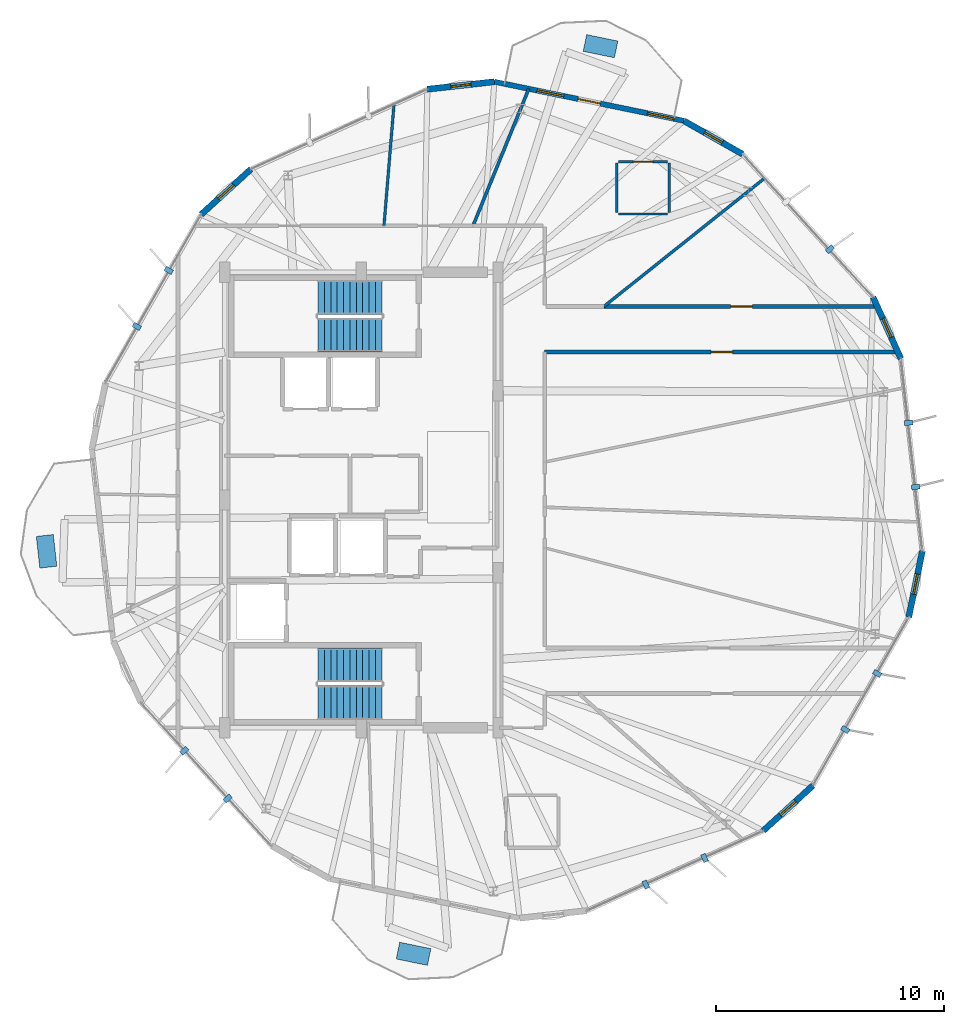
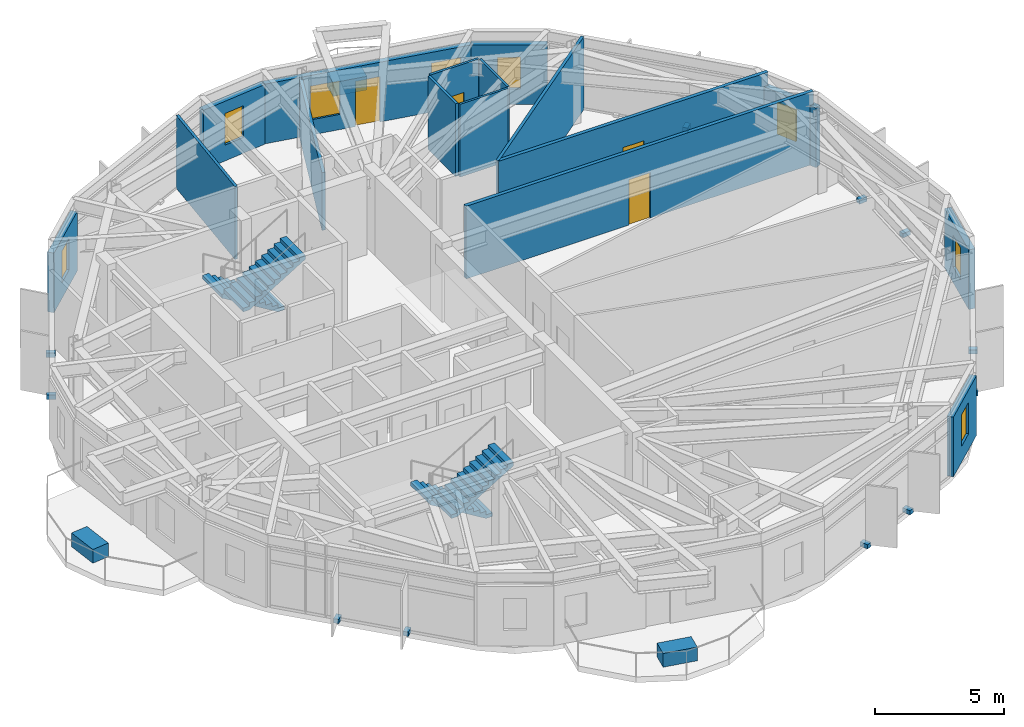
# One storey, part 19 of 23: 16 walls, 14 discrete accessories, 8 windows, 4 doors, 4 stair flights, 12 openings, 2 elements without a shape of their own.
"""IFC4 building model written with IfcOpenShell, lengths in metres."""

from ifc_helpers import new_model, si_unit, direction, frame, frame_2d, origin, origin_2d, place, context, subcontext, project, spatial, polyline, rectangle, outline, extrude, material, layer, layer_set, type_object, element, fill, aggregate, save


model = new_model("IFC4")

# Units and contexts
model_context = context("Model", 3, precision=1e-05, world=origin(), true_north=direction((0.0, 1.0)))
body_context = subcontext(model_context, "Body", "Model", "MODEL_VIEW")
ifc_project = project(units=[si_unit("LENGTHUNIT", "METRE"), si_unit("AREAUNIT", "SQUARE_METRE"), si_unit("VOLUMEUNIT", "CUBIC_METRE"), si_unit("PLANEANGLEUNIT", "RADIAN"), si_unit("MASSUNIT", "GRAM", prefix="KILO")], contexts=[model_context])

# Site, building, storey
site_placement = place(None, origin())
site = spatial("IfcSite", under=ifc_project, at=site_placement, CompositionType="ELEMENT")
building_placement = place(site_placement, origin())
building = spatial("IfcBuilding", under=site, at=building_placement, Name="Soratama Intermodal Tower", CompositionType="ELEMENT")
storey_placement = place(building_placement, frame((0.0, 0.0, 257.5)))
storey = spatial("IfcBuildingStorey", under=building, at=storey_placement, Name="L65", CompositionType="ELEMENT", Elevation=257.5)

# Wall, openings, door, windows
ifc_material_1 = material(Name="Concrete f'c 42 MPa", Category="concrete")
ifc_layer_1 = layer(ifc_material_1, 0.22998046875)
ifc_layer_set_1 = layer_set([ifc_layer_1], Name="Concrete f'c 42 MPa")
wall_type_1 = type_object("IfcWallType", Name="EW-BAL-230", PredefinedType="SOLIDWALL", material=ifc_layer_set_1)
wall_1_placement = place(storey_placement, frame((52.77001953125, 41.65478515625, 0.0), z_axis=(0.0, 0.0, 1.0), x_axis=(-0.979436514716, 0.201752605043, 0.0)))
wall_1 = element("IfcWall", 1, at=wall_1_placement, inside=storey, type_object=wall_type_1, Name="L65 Terrace Wall F01", PredefinedType="SOLIDWALL", context=body_context, shape_type="SweptSolid", body=[
    extrude(rectangle(XDim=8.499755859375, YDim=0.22998046875, at=frame_2d((4.25, 0.0))), origin(), (0.0, 0.0, 1.0), 2.8291015625),
])
opening_1_placement = place(wall_1_placement, frame((3.75, 0.0, 0.0)))
opening_1 = element("IfcOpeningElement", 2, at=opening_1_placement, cuts=wall_1, Name="Opening ED-2", PredefinedType="OPENING", context=body_context, shape_type="SweptSolid", body=[
    extrude(rectangle(XDim=1.0, YDim=2.14990234375, at=frame_2d((0.5, 1.074951171875))), frame((0.0, 0.125, 0.0), z_axis=(0.0, -1.0, 0.0), x_axis=(1.0, 0.0, 0.0)), (0.0, 0.0, 1.0), 0.25),
])
opening_2_placement = place(wall_1_placement, frame((0.43994140625, 0.0, 0.719970703125)))
opening_2 = element("IfcOpeningElement", 3, at=opening_2_placement, cuts=wall_1, Name="Opening WN-2", PredefinedType="OPENING", context=body_context, shape_type="SweptSolid", body=[
    extrude(rectangle(XDim=1.199951171875, YDim=1.60009765625, at=frame_2d((0.60009765625, 0.800048828125))), frame((0.0, 0.125, 0.0), z_axis=(0.0, -1.0, 0.0), x_axis=(1.0, 0.0, 0.0)), (0.0, 0.0, 1.0), 0.25),
])
opening_3_placement = place(wall_1_placement, frame((5.389892578125, 0.0, 0.719970703125)))
opening_3 = element("IfcOpeningElement", 4, at=opening_3_placement, cuts=wall_1, Name="Opening WN-2", PredefinedType="OPENING", context=body_context, shape_type="SweptSolid", body=[
    extrude(rectangle(XDim=1.199951171875, YDim=1.60009765625, at=frame_2d((0.60009765625, 0.800048828125))), frame((0.0, 0.125, 0.0), z_axis=(0.0, -1.0, 0.0), x_axis=(1.0, 0.0, 0.0)), (0.0, 0.0, 1.0), 0.25),
])
ifc_material_2 = material(Name="Double-glazed aluminium door", Category="aluminium")
door_type_1 = type_object("IfcDoorType", Name="DR-BAL-1000", OperationType="NOTDEFINED", PredefinedType="DOOR", material=ifc_material_2)
door_1_placement = place(opening_1_placement, origin())
door_1 = element("IfcDoor", 5, at=door_1_placement, inside=storey, type_object=door_type_1, Name="L65 Balcony Door F01", OperationType="SINGLE_SWING_LEFT", OverallHeight=2.14990234375, OverallWidth=1.0, PredefinedType="DOOR", context=body_context, shape_type="SweptSolid", body=[
    extrude(rectangle(XDim=1.0, YDim=2.14990234375, at=frame_2d((0.5, 1.074951171875))), frame((0.0, 0.02490234375, 0.0), z_axis=(0.0, -1.0, 0.0), x_axis=(1.0, 0.0, 0.0)), (0.0, 0.0, 1.0), 0.050048828125),
])
fill(opening_1, door_1)
ifc_material_3 = material(Name="Double-glazed aluminium window", Category="aluminium")
window_type_1 = type_object("IfcWindowType", Name="WN-FAC-1200", PartitioningType="SINGLE_PANEL", PredefinedType="WINDOW", material=ifc_material_3)
window_1_placement = place(opening_2_placement, origin())
window_1 = element("IfcWindow", 6, at=window_1_placement, inside=storey, type_object=window_type_1, Name="L65 Window A F01", OverallHeight=1.60009765625, OverallWidth=1.199951171875, PartitioningType="SINGLE_PANEL", PredefinedType="WINDOW", context=body_context, shape_type="SweptSolid", body=[
    extrude(rectangle(XDim=1.199951171875, YDim=1.60009765625, at=frame_2d((0.60009765625, 0.800048828125))), frame((0.0, 0.030029296875, 0.0), z_axis=(0.0, -1.0, 0.0), x_axis=(1.0, 0.0, 0.0)), (0.0, 0.0, 1.0), 0.06005859375),
])
fill(opening_2, window_1)
window_2_placement = place(opening_3_placement, origin())
window_2 = element("IfcWindow", 7, at=window_2_placement, inside=storey, type_object=window_type_1, Name="L65 Window B F01", OverallHeight=1.60009765625, OverallWidth=1.199951171875, PartitioningType="SINGLE_PANEL", PredefinedType="WINDOW", context=body_context, shape_type="SweptSolid", body=[
    extrude(rectangle(XDim=1.199951171875, YDim=1.60009765625, at=frame_2d((0.60009765625, 0.800048828125))), frame((0.0, 0.030029296875, 0.0), z_axis=(0.0, -1.0, 0.0), x_axis=(1.0, 0.0, 0.0)), (0.0, 0.0, 1.0), 0.06005859375),
])
fill(opening_3, window_2)

# Wall, opening, window
ifc_material_4 = material(Name="Concrete f'c 42 MPa", Category="concrete")
ifc_layer_2 = layer(ifc_material_4, 0.27001953125)
ifc_layer_set_2 = layer_set([ifc_layer_2], Name="Concrete f'c 42 MPa")
wall_type_2 = type_object("IfcWallType", Name="EW-CRN-270", PredefinedType="SOLIDWALL", material=ifc_layer_set_2)
wall_2_placement = place(storey_placement, frame((44.445068359375, 43.36962890625, 0.0), z_axis=(0.0, 0.0, 1.0), x_axis=(-0.993846546507, -0.110765707676, 0.0)))
wall_2 = element("IfcWall", 8, at=wall_2_placement, inside=storey, type_object=wall_type_2, Name="L65 Corner Closure Wall 01", PredefinedType="SOLIDWALL", context=body_context, shape_type="SweptSolid", body=[
    extrude(rectangle(XDim=2.966796875, YDim=0.27001953125, at=frame_2d((1.4833984375, 0.0))), origin(), (0.0, 0.0, 1.0), 2.8291015625),
])
opening_4_placement = place(wall_2_placement, frame((1.033203125, 0.0, 0.75)))
opening_4 = element("IfcOpeningElement", 9, at=opening_4_placement, cuts=wall_2, Name="Opening WN-6", PredefinedType="OPENING", context=body_context, shape_type="SweptSolid", body=[
    extrude(rectangle(XDim=0.89990234375, YDim=1.5, at=frame_2d((0.449951171875, 0.75))), frame((0.0, 0.14501953125, 0.0), z_axis=(0.0, -1.0, 0.0), x_axis=(1.0, 0.0, 0.0)), (0.0, 0.0, 1.0), 0.2900390625),
])
ifc_material_5 = material(Name="Double-glazed aluminium window", Category="aluminium")
window_type_2 = type_object("IfcWindowType", Name="WN-FAC-900", PartitioningType="SINGLE_PANEL", PredefinedType="WINDOW", material=ifc_material_5)
window_3_placement = place(opening_4_placement, origin())
window_3 = element("IfcWindow", 10, at=window_3_placement, inside=storey, type_object=window_type_2, Name="L65 Corner Window 01", OverallHeight=1.5, OverallWidth=0.89990234375, PartitioningType="SINGLE_PANEL", PredefinedType="WINDOW", context=body_context, shape_type="SweptSolid", body=[
    extrude(rectangle(XDim=0.89990234375, YDim=1.5, at=frame_2d((0.449951171875, 0.75))), frame((0.0, 0.030029296875, 0.0), z_axis=(0.0, -1.0, 0.0), x_axis=(1.0, 0.0, 0.0)), (0.0, 0.0, 1.0), 0.06005859375),
])
fill(opening_4, window_3)

wall_3_placement = place(storey_placement, frame((33.753662109375, 39.53515625, 0.0), z_axis=(0.0, 0.0, 1.0), x_axis=(-0.73894499787, -0.673765753153, 0.0)))
wall_3 = element("IfcWall", 11, at=wall_3_placement, inside=storey, type_object=wall_type_2, Name="L65 Corner Closure Wall 02", PredefinedType="SOLIDWALL", context=body_context, shape_type="SweptSolid", body=[
    extrude(rectangle(XDim=2.966552734375, YDim=0.27001953125, at=frame_2d((1.4833984375, 0.0))), origin(), (0.0, 0.0, 1.0), 2.8291015625),
])
opening_5_placement = place(wall_3_placement, frame((1.033203125, 0.0, 0.75)))
opening_5 = element("IfcOpeningElement", 12, at=opening_5_placement, cuts=wall_3, Name="Opening WN-6", PredefinedType="OPENING", context=body_context, shape_type="SweptSolid", body=[
    extrude(rectangle(XDim=0.89990234375, YDim=1.5, at=frame_2d((0.449951171875, 0.75))), frame((0.0, 0.14501953125, 0.0), z_axis=(0.0, -1.0, 0.0), x_axis=(1.0, 0.0, 0.0)), (0.0, 0.0, 1.0), 0.2900390625),
])
window_4_placement = place(opening_5_placement, origin())
window_4 = element("IfcWindow", 13, at=window_4_placement, inside=storey, type_object=window_type_2, Name="L65 Corner Window 02", OverallHeight=1.5, OverallWidth=0.89990234375, PartitioningType="SINGLE_PANEL", PredefinedType="WINDOW", context=body_context, shape_type="SweptSolid", body=[
    extrude(rectangle(XDim=0.89990234375, YDim=1.5, at=frame_2d((0.449951171875, 0.75))), frame((0.0, 0.030029296875, 0.0), z_axis=(0.0, -1.0, 0.0), x_axis=(1.0, 0.0, 0.0)), (0.0, 0.0, 1.0), 0.06005859375),
])
fill(opening_5, window_4)

wall_4_placement = place(storey_placement, frame((56.246337890625, 10.46484375, 0.0), z_axis=(0.0, 0.0, 1.0), x_axis=(0.73894499787, 0.673765753153, 0.0)))
wall_4 = element("IfcWall", 14, at=wall_4_placement, inside=storey, type_object=wall_type_2, Name="L65 Corner Closure Wall 07", PredefinedType="SOLIDWALL", context=body_context, shape_type="SweptSolid", body=[
    extrude(rectangle(XDim=2.966552734375, YDim=0.27001953125, at=frame_2d((1.4833984375, 0.0))), origin(), (0.0, 0.0, 1.0), 2.8291015625),
])
opening_6_placement = place(wall_4_placement, frame((1.033203125, 0.0, 0.75)))
opening_6 = element("IfcOpeningElement", 15, at=opening_6_placement, cuts=wall_4, Name="Opening WN-6", PredefinedType="OPENING", context=body_context, shape_type="SweptSolid", body=[
    extrude(rectangle(XDim=0.89990234375, YDim=1.5, at=frame_2d((0.449951171875, 0.75))), frame((0.0, 0.14501953125, 0.0), z_axis=(0.0, -1.0, 0.0), x_axis=(1.0, 0.0, 0.0)), (0.0, 0.0, 1.0), 0.2900390625),
])
window_5_placement = place(opening_6_placement, origin())
window_5 = element("IfcWindow", 16, at=window_5_placement, inside=storey, type_object=window_type_2, Name="L65 Corner Window 07", OverallHeight=1.5, OverallWidth=0.89990234375, PartitioningType="SINGLE_PANEL", PredefinedType="WINDOW", context=body_context, shape_type="SweptSolid", body=[
    extrude(rectangle(XDim=0.89990234375, YDim=1.5, at=frame_2d((0.449951171875, 0.75))), frame((0.0, 0.030029296875, 0.0), z_axis=(0.0, -1.0, 0.0), x_axis=(1.0, 0.0, 0.0)), (0.0, 0.0, 1.0), 0.06005859375),
])
fill(opening_6, window_5)

wall_5_placement = place(storey_placement, frame((62.64208984375, 19.851318359375, 0.0), z_axis=(0.0, 0.0, 1.0), x_axis=(0.201715617992, 0.979444132893, 0.0)))
wall_5 = element("IfcWall", 17, at=wall_5_placement, inside=storey, type_object=wall_type_2, Name="L65 Corner Closure Wall 08", PredefinedType="SOLIDWALL", context=body_context, shape_type="SweptSolid", body=[
    extrude(rectangle(XDim=2.966552734375, YDim=0.27001953125, at=frame_2d((1.4833984375, 0.0))), origin(), (0.0, 0.0, 1.0), 2.8291015625),
])
opening_7_placement = place(wall_5_placement, frame((1.033203125, 0.0, 0.75)))
opening_7 = element("IfcOpeningElement", 18, at=opening_7_placement, cuts=wall_5, Name="Opening WN-6", PredefinedType="OPENING", context=body_context, shape_type="SweptSolid", body=[
    extrude(rectangle(XDim=0.89990234375, YDim=1.5, at=frame_2d((0.449951171875, 0.75))), frame((0.0, 0.14501953125, 0.0), z_axis=(0.0, -1.0, 0.0), x_axis=(1.0, 0.0, 0.0)), (0.0, 0.0, 1.0), 0.2900390625),
])
window_6_placement = place(opening_7_placement, origin())
window_6 = element("IfcWindow", 19, at=window_6_placement, inside=storey, type_object=window_type_2, Name="L65 Corner Window 08", OverallHeight=1.5, OverallWidth=0.89990234375, PartitioningType="SINGLE_PANEL", PredefinedType="WINDOW", context=body_context, shape_type="SweptSolid", body=[
    extrude(rectangle(XDim=0.89990234375, YDim=1.5, at=frame_2d((0.449951171875, 0.75))), frame((0.0, 0.030029296875, 0.0), z_axis=(0.0, -1.0, 0.0), x_axis=(1.0, 0.0, 0.0)), (0.0, 0.0, 1.0), 0.06005859375),
])
fill(opening_7, window_6)

wall_6_placement = place(storey_placement, frame((62.299072265625, 31.204345703125, 0.0), z_axis=(0.0, 0.0, 1.0), x_axis=(-0.412481781571, 0.910965850003, 0.0)))
wall_6 = element("IfcWall", 20, at=wall_6_placement, inside=storey, type_object=wall_type_2, Name="L65 Corner Closure Wall 09", PredefinedType="SOLIDWALL", context=body_context, shape_type="SweptSolid", body=[
    extrude(rectangle(XDim=2.966552734375, YDim=0.27001953125, at=frame_2d((1.4833984375, 0.0))), origin(), (0.0, 0.0, 1.0), 2.8291015625),
])
opening_8_placement = place(wall_6_placement, frame((1.033203125, 0.0, 0.75)))
opening_8 = element("IfcOpeningElement", 21, at=opening_8_placement, cuts=wall_6, Name="Opening WN-6", PredefinedType="OPENING", context=body_context, shape_type="SweptSolid", body=[
    extrude(rectangle(XDim=0.89990234375, YDim=1.5, at=frame_2d((0.449951171875, 0.75))), frame((0.0, 0.14501953125, 0.0), z_axis=(0.0, -1.0, 0.0), x_axis=(1.0, 0.0, 0.0)), (0.0, 0.0, 1.0), 0.2900390625),
])
window_7_placement = place(opening_8_placement, origin())
window_7 = element("IfcWindow", 22, at=window_7_placement, inside=storey, type_object=window_type_2, Name="L65 Corner Window 09", OverallHeight=1.5, OverallWidth=0.89990234375, PartitioningType="SINGLE_PANEL", PredefinedType="WINDOW", context=body_context, shape_type="SweptSolid", body=[
    extrude(rectangle(XDim=0.89990234375, YDim=1.5, at=frame_2d((0.449951171875, 0.75))), frame((0.0, 0.030029296875, 0.0), z_axis=(0.0, -1.0, 0.0), x_axis=(1.0, 0.0, 0.0)), (0.0, 0.0, 1.0), 0.06005859375),
])
fill(opening_8, window_7)

wall_7_placement = place(storey_placement, frame((55.348388671875, 40.1875, 0.0), z_axis=(0.0, 0.0, 1.0), x_axis=(-0.869122967752, 0.494596064406, 0.0)))
wall_7 = element("IfcWall", 23, at=wall_7_placement, inside=storey, type_object=wall_type_2, Name="L65 Corner Closure Wall 10", PredefinedType="SOLIDWALL", context=body_context, shape_type="SweptSolid", body=[
    extrude(rectangle(XDim=2.966552734375, YDim=0.27001953125, at=frame_2d((1.4833984375, 0.0))), origin(), (0.0, 0.0, 1.0), 2.8291015625),
])
opening_9_placement = place(wall_7_placement, frame((1.033203125, 0.0, 0.75)))
opening_9 = element("IfcOpeningElement", 24, at=opening_9_placement, cuts=wall_7, Name="Opening WN-6", PredefinedType="OPENING", context=body_context, shape_type="SweptSolid", body=[
    extrude(rectangle(XDim=0.89990234375, YDim=1.5, at=frame_2d((0.449951171875, 0.75))), frame((0.0, 0.14501953125, 0.0), z_axis=(0.0, -1.0, 0.0), x_axis=(1.0, 0.0, 0.0)), (0.0, 0.0, 1.0), 0.2900390625),
])
window_8_placement = place(opening_9_placement, origin())
window_8 = element("IfcWindow", 25, at=window_8_placement, inside=storey, type_object=window_type_2, Name="L65 Corner Window 10", OverallHeight=1.5, OverallWidth=0.89990234375, PartitioningType="SINGLE_PANEL", PredefinedType="WINDOW", context=body_context, shape_type="SweptSolid", body=[
    extrude(rectangle(XDim=0.89990234375, YDim=1.5, at=frame_2d((0.449951171875, 0.75))), frame((0.0, 0.030029296875, 0.0), z_axis=(0.0, -1.0, 0.0), x_axis=(1.0, 0.0, 0.0)), (0.0, 0.0, 1.0), 0.06005859375),
])
fill(opening_9, window_8)

# Wall, opening, door
ifc_material_6 = material(Name="Fire-rated gypsum stud partition", Category="concrete")
ifc_layer_3 = layer(ifc_material_6, 0.159912109375)
ifc_layer_set_3 = layer_set([ifc_layer_3], Name="Fire-rated gypsum stud partition")
wall_type_3 = type_object("IfcWallType", Name="IW-PART-R160", PredefinedType="PARTITIONING", material=ifc_layer_set_3)
wall_8_placement = place(storey_placement, frame((62.218017578125, 31.5, 0.0), z_axis=(0.0, 0.0, 1.0), x_axis=(-1.0, 0.0, 0.0)))
wall_8 = element("IfcWall", 26, at=wall_8_placement, inside=storey, type_object=wall_type_3, Name="L65 Partition W-L65-TP004", PredefinedType="PARTITIONING", context=body_context, shape_type="SweptSolid", body=[
    extrude(rectangle(XDim=15.568115234375, YDim=0.159912109375, at=frame_2d((7.7841796875, 0.0))), origin(), (0.0, 0.0, 1.0), 3.449951171875),
])
opening_10_placement = place(wall_8_placement, frame((7.30908203125, 0.0, 0.0)))
opening_10 = element("IfcOpeningElement", 27, at=opening_10_placement, cuts=wall_8, Name="Opening ID-3", PredefinedType="OPENING", context=body_context, shape_type="SweptSolid", body=[
    extrude(rectangle(XDim=0.949951171875, YDim=2.14990234375, at=frame_2d((0.47509765625, 1.074951171875))), frame((0.0, 0.08984375, 0.0), z_axis=(0.0, -1.0, 0.0), x_axis=(1.0, 0.0, 0.0)), (0.0, 0.0, 1.0), 0.179931640625),
])
ifc_material_7 = material(Name="Solid hardwood acoustic door", Category="wood")
door_type_2 = type_object("IfcDoorType", Name="DR-ROOM-950", OperationType="NOTDEFINED", PredefinedType="DOOR", material=ifc_material_7)
door_2_placement = place(opening_10_placement, origin())
door_2 = element("IfcDoor", 28, at=door_2_placement, inside=storey, type_object=door_type_2, Name="L65 Door D-L65-TP001", OperationType="SINGLE_SWING_RIGHT", OverallHeight=2.14990234375, OverallWidth=0.949951171875, PredefinedType="DOOR", context=body_context, shape_type="SweptSolid", body=[
    extrude(rectangle(XDim=0.949951171875, YDim=2.14990234375, at=frame_2d((0.47509765625, 1.074951171875))), frame((0.0, 0.02490234375, 0.0), z_axis=(0.0, -1.0, 0.0), x_axis=(1.0, 0.0, 0.0)), (0.0, 0.0, 1.0), 0.050048828125),
])
fill(opening_10, door_2)

wall_9_placement = place(storey_placement, frame((49.25390625, 33.5, 0.0), z_axis=(0.0, 0.0, 1.0), x_axis=(1.0, 0.0, 0.0)))
wall_9 = element("IfcWall", 29, at=wall_9_placement, inside=storey, type_object=wall_type_3, Name="L65 Partition W-L65-TP007", PredefinedType="PARTITIONING", context=body_context, shape_type="SweptSolid", body=[
    extrude(rectangle(XDim=12.089111328125, YDim=0.159912109375, at=frame_2d((6.04443359375, 0.0))), origin(), (0.0, 0.0, 1.0), 3.449951171875),
])
opening_11_placement = place(wall_9_placement, frame((5.570068359375, 0.0, 0.0)))
opening_11 = element("IfcOpeningElement", 30, at=opening_11_placement, cuts=wall_9, Name="Opening ID-3", PredefinedType="OPENING", context=body_context, shape_type="SweptSolid", body=[
    extrude(rectangle(XDim=0.949951171875, YDim=2.14990234375, at=frame_2d((0.47509765625, 1.074951171875))), frame((0.0, 0.08984375, 0.0), z_axis=(0.0, -1.0, 0.0), x_axis=(1.0, 0.0, 0.0)), (0.0, 0.0, 1.0), 0.179931640625),
])
door_3_placement = place(opening_11_placement, origin())
door_3 = element("IfcDoor", 31, at=door_3_placement, inside=storey, type_object=door_type_2, Name="L65 Door D-L65-TP004", OperationType="SINGLE_SWING_LEFT", OverallHeight=2.14990234375, OverallWidth=0.949951171875, PredefinedType="DOOR", context=body_context, shape_type="SweptSolid", body=[
    extrude(rectangle(XDim=0.949951171875, YDim=2.14990234375, at=frame_2d((0.47509765625, 1.074951171875))), frame((0.0, 0.02490234375, 0.0), z_axis=(0.0, -1.0, 0.0), x_axis=(1.0, 0.0, 0.0)), (0.0, 0.0, 1.0), 0.050048828125),
])
fill(opening_11, door_3)

# Wall
ifc_material_8 = material(Name="Fire-rated gypsum stud partition", Category="concrete")
ifc_layer_4 = layer(ifc_material_8, 0.10009765625)
ifc_layer_set_4 = layer_set([ifc_layer_4], Name="Fire-rated gypsum stud partition")
wall_type_4 = type_object("IfcWallType", Name="IW-PART-S100", PredefinedType="PARTITIONING", material=ifc_layer_set_4)
wall_10_placement = place(storey_placement, frame((49.89111328125, 37.56103515625, 0.0), z_axis=(0.0, 0.0, 1.0), x_axis=(1.0, 0.0, 0.0)))
element("IfcWall", 32, at=wall_10_placement, inside=storey, type_object=wall_type_4, Name="L65 Partition W-L65-TP033", PredefinedType="PARTITIONING", context=body_context, shape_type="SweptSolid", body=[
    extrude(rectangle(XDim=2.159912109375, YDim=0.10009765625, at=frame_2d((1.080078125, 0.0))), origin(), (0.0, 0.0, 1.0), 3.449951171875),
])

# Wall, opening, door
ifc_material_9 = material(Name="Fire-rated gypsum stud partition", Category="concrete")
ifc_layer_5 = layer(ifc_material_9, 0.110107421875)
ifc_layer_set_5 = layer_set([ifc_layer_5], Name="Fire-rated gypsum stud partition")
wall_type_5 = type_object("IfcWallType", Name="IW-PART-S110", PredefinedType="PARTITIONING", material=ifc_layer_set_5)
wall_11_placement = place(storey_placement, frame((52.051025390625, 39.861083984375, 0.0), z_axis=(0.0, 0.0, 1.0), x_axis=(-1.0, 0.0, 0.0)))
wall_11 = element("IfcWall", 33, at=wall_11_placement, inside=storey, type_object=wall_type_5, Name="L65 Partition W-L65-TP032", PredefinedType="PARTITIONING", context=body_context, shape_type="SweptSolid", body=[
    extrude(rectangle(XDim=2.159912109375, YDim=0.110107421875, at=frame_2d((1.080078125, 0.0))), origin(), (0.0, 0.0, 1.0), 3.449951171875),
])
opening_12_placement = place(wall_11_placement, frame((0.655029296875, 0.0, 0.0)))
opening_12 = element("IfcOpeningElement", 34, at=opening_12_placement, cuts=wall_11, Name="Opening ID-4", PredefinedType="OPENING", context=body_context, shape_type="SweptSolid", body=[
    extrude(rectangle(XDim=0.85009765625, YDim=2.10009765625, at=frame_2d((0.425048828125, 1.050048828125))), frame((0.0, 0.06494140625, 0.0), z_axis=(0.0, -1.0, 0.0), x_axis=(1.0, 0.0, 0.0)), (0.0, 0.0, 1.0), 0.130126953125),
])
ifc_material_10 = material(Name="Solid hardwood acoustic door", Category="wood")
door_type_3 = type_object("IfcDoorType", Name="DR-BATH-850", OperationType="NOTDEFINED", PredefinedType="DOOR", material=ifc_material_10)
door_4_placement = place(opening_12_placement, origin())
door_4 = element("IfcDoor", 35, at=door_4_placement, inside=storey, type_object=door_type_3, Name="L65 Door D-L65-TP016", OperationType="SINGLE_SWING_LEFT", OverallHeight=2.10009765625, OverallWidth=0.85009765625, PredefinedType="DOOR", context=body_context, shape_type="SweptSolid", body=[
    extrude(rectangle(XDim=0.85009765625, YDim=2.10009765625, at=frame_2d((0.425048828125, 1.050048828125))), frame((0.0, 0.02490234375, 0.0), z_axis=(0.0, -1.0, 0.0), x_axis=(1.0, 0.0, 0.0)), (0.0, 0.0, 1.0), 0.050048828125),
])
fill(opening_12, door_4)

# Walls
wall_12_placement = place(storey_placement, frame((52.12109375, 37.631103515625, 0.0), z_axis=(0.0, 0.0, 1.0), x_axis=(0.0, 1.0, 0.0)))
element("IfcWall", 36, at=wall_12_placement, inside=storey, type_object=wall_type_5, Name="L65 Partition W-L65-TP037", PredefinedType="PARTITIONING", context=body_context, shape_type="SweptSolid", body=[
    extrude(rectangle(XDim=2.159912109375, YDim=0.110107421875, at=frame_2d((1.080078125, 0.0))), origin(), (0.0, 0.0, 1.0), 3.449951171875),
])
ifc_material_11 = material(Name="Fire-rated gypsum stud partition", Category="concrete")
ifc_layer_6 = layer(ifc_material_11, 0.1201171875)
ifc_layer_set_6 = layer_set([ifc_layer_6], Name="Fire-rated gypsum stud partition")
wall_type_6 = type_object("IfcWallType", Name="IW-PART-S120", PredefinedType="PARTITIONING", material=ifc_layer_set_6)
wall_13_placement = place(storey_placement, frame((39.594970703125, 37.050048828125, 0.0), z_axis=(0.0, 0.0, 1.0), x_axis=(0.082278376052, 0.996609386286, 0.0)))
element("IfcWall", 37, at=wall_13_placement, inside=storey, type_object=wall_type_6, Name="L65 Partition W-L65-TP016", PredefinedType="PARTITIONING", context=body_context, shape_type="SweptSolid", body=[
    extrude(rectangle(XDim=5.346923828125, YDim=0.1201171875, at=frame_2d((2.67333984375, 0.0))), origin(), (0.0, 0.0, 1.0), 3.449951171875),
])
wall_14_placement = place(storey_placement, frame((49.821044921875, 39.791015625, 0.0), z_axis=(0.0, 0.0, 1.0), x_axis=(0.0, -1.0, 0.0)))
element("IfcWall", 38, at=wall_14_placement, inside=storey, type_object=wall_type_6, Name="L65 Partition W-L65-TP036", PredefinedType="PARTITIONING", context=body_context, shape_type="SweptSolid", body=[
    extrude(rectangle(XDim=2.159912109375, YDim=0.1201171875, at=frame_2d((1.080078125, 0.0))), origin(), (0.0, 0.0, 1.0), 3.449951171875),
])
ifc_material_12 = material(Name="Fire-rated gypsum stud partition", Category="concrete")
ifc_layer_7 = layer(ifc_material_12, 0.1298828125)
ifc_layer_set_7 = layer_set([ifc_layer_7], Name="Fire-rated gypsum stud partition")
wall_type_7 = type_object("IfcWallType", Name="IW-PART-S130", PredefinedType="PARTITIONING", material=ifc_layer_set_7)
wall_15_placement = place(storey_placement, frame((49.25390625, 33.5, 0.0), z_axis=(0.0, 0.0, 1.0), x_axis=(0.781699074936, 0.623655799495, 0.0)))
element("IfcWall", 39, at=wall_15_placement, inside=storey, type_object=wall_type_7, Name="L65 Partition W-L65-TP010", PredefinedType="PARTITIONING", context=body_context, shape_type="SweptSolid", body=[
    extrude(rectangle(XDim=9.029296875, YDim=0.1298828125, at=frame_2d((4.5146484375, 0.0))), origin(), (0.0, 0.0, 1.0), 3.449951171875),
])
ifc_material_13 = material(Name="Fire-rated gypsum stud partition", Category="concrete")
ifc_layer_8 = layer(ifc_material_13, 0.139892578125)
ifc_layer_set_8 = layer_set([ifc_layer_8], Name="Fire-rated gypsum stud partition")
wall_type_8 = type_object("IfcWallType", Name="IW-PART-S140", PredefinedType="PARTITIONING", material=ifc_layer_set_8)
wall_16_placement = place(storey_placement, frame((43.508056640625, 37.050048828125, 0.0), z_axis=(0.0, 0.0, 1.0), x_axis=(0.377021945249, 0.926204325622, 0.0)))
element("IfcWall", 40, at=wall_16_placement, inside=storey, type_object=wall_type_8, Name="L65 Partition W-L65-TP014", PredefinedType="PARTITIONING", context=body_context, shape_type="SweptSolid", body=[
    extrude(rectangle(XDim=6.48779296875, YDim=0.139892578125, at=frame_2d((3.243896484375, 0.0))), origin(), (0.0, 0.0, 1.0), 2.7451171875),
])

# Stair, stair flights
ifc_material_14 = material(Name="Concrete f'c 42 MPa", Category="concrete")
stair_type = type_object("IfcStairType", Name="ST-CORE-DOGLEG", PredefinedType="HALF_TURN_STAIR", material=ifc_material_14)
stair_1_placement = place(storey_placement, origin())
stair_1 = element("IfcStair", 41, at=stair_1_placement, inside=storey, type_object=stair_type, Name="L65 ST-1", PredefinedType="HALF_TURN_STAIR")
ifc_material_15 = material(Name="Precast concrete f'c 40 MPa", Category="concrete")
ifc_layer_9 = layer(ifc_material_15, 0.199951171875)
ifc_layer_set_9 = layer_set([ifc_layer_9], Name="Precast concrete f'c 40 MPa")
stair_flight_type = type_object("IfcStairFlightType", Name="SF-FLIGHT-RC", PredefinedType="STRAIGHT", material=ifc_layer_set_9)
stair_flight_1_placement = place(storey_placement, frame((39.5, 17.75, 0.0), z_axis=(0.0, 0.0, 1.0), x_axis=(-1.0, 0.0, 0.0)))
stair_flight_1 = element("IfcStairFlight", 42, at=stair_flight_1_placement, type_object=stair_flight_type, Name="ST-1 flight 1", NumberOfRisers=11, NumberOfTreads=10, PredefinedType="STRAIGHT", RiserHeight=0.170454545, TreadLength=0.28, context=body_context, shape_type="SweptSolid", body=[
    extrude(outline(polyline([(0.0, 0.0), (0.0, 0.17041015625), (0.280029296875, 0.17041015625), (0.280029296875, 0.3408203125), (0.56005859375, 0.3408203125), (0.56005859375, 0.511474609375), (0.840087890625, 0.511474609375), (0.840087890625, 0.681884765625), (1.1201171875, 0.681884765625), (1.1201171875, 0.852294921875), (1.39990234375, 0.852294921875), (1.39990234375, 1.022705078125), (1.679931640625, 1.022705078125), (1.679931640625, 1.193115234375), (1.9599609375, 1.193115234375), (1.9599609375, 1.363525390625), (2.239990234375, 1.363525390625), (2.239990234375, 1.5341796875), (2.52001953125, 1.5341796875), (2.52001953125, 1.70458984375), (2.800048828125, 1.70458984375), (2.800048828125, 1.875), (2.800048828125, 1.529052734375), (0.288330078125, 0.0), (0.0, 0.0)])), frame((0.0, 0.75, 0.0), z_axis=(0.0, -1.0, 0.0), x_axis=(1.0, 0.0, 0.0)), (0.0, 0.0, 1.0), 1.5),
])
stair_flight_2_placement = place(storey_placement, frame((36.699951171875, 16.10009765625, 1.875), z_axis=(0.0, 0.0, 1.0), x_axis=(1.0, 0.0, 0.0)))
stair_flight_2 = element("IfcStairFlight", 43, at=stair_flight_2_placement, type_object=stair_flight_type, Name="ST-1 flight 2", NumberOfRisers=11, NumberOfTreads=10, PredefinedType="STRAIGHT", RiserHeight=0.170454545, TreadLength=0.28, context=body_context, shape_type="SweptSolid", body=[
    extrude(outline(polyline([(0.0, 0.0), (0.0, 0.17041015625), (0.280029296875, 0.17041015625), (0.280029296875, 0.3408203125), (0.56005859375, 0.3408203125), (0.56005859375, 0.511474609375), (0.840087890625, 0.511474609375), (0.840087890625, 0.681884765625), (1.1201171875, 0.681884765625), (1.1201171875, 0.852294921875), (1.39990234375, 0.852294921875), (1.39990234375, 1.022705078125), (1.679931640625, 1.022705078125), (1.679931640625, 1.193115234375), (1.9599609375, 1.193115234375), (1.9599609375, 1.363525390625), (2.239990234375, 1.363525390625), (2.239990234375, 1.5341796875), (2.52001953125, 1.5341796875), (2.52001953125, 1.70458984375), (2.800048828125, 1.70458984375), (2.800048828125, 1.875), (2.800048828125, 1.529052734375), (0.288330078125, 0.0), (0.0, 0.0)])), frame((0.0, 0.75, 0.0), z_axis=(0.0, -1.0, 0.0), x_axis=(1.0, 0.0, 0.0)), (0.0, 0.0, 1.0), 1.5),
])
aggregate(stair_1, [stair_flight_1, stair_flight_2])

stair_2_placement = place(storey_placement, origin())
stair_2 = element("IfcStair", 44, at=stair_2_placement, inside=storey, type_object=stair_type, Name="L65 ST-2", PredefinedType="HALF_TURN_STAIR")
stair_flight_3_placement = place(storey_placement, frame((39.5, 33.89990234375, 0.0), z_axis=(0.0, 0.0, 1.0), x_axis=(-1.0, 0.0, 0.0)))
stair_flight_3 = element("IfcStairFlight", 45, at=stair_flight_3_placement, type_object=stair_flight_type, Name="ST-2 flight 1", NumberOfRisers=11, NumberOfTreads=10, PredefinedType="STRAIGHT", RiserHeight=0.170454545, TreadLength=0.28, context=body_context, shape_type="SweptSolid", body=[
    extrude(outline(polyline([(0.0, 0.0), (0.0, 0.17041015625), (0.280029296875, 0.17041015625), (0.280029296875, 0.3408203125), (0.56005859375, 0.3408203125), (0.56005859375, 0.511474609375), (0.840087890625, 0.511474609375), (0.840087890625, 0.681884765625), (1.1201171875, 0.681884765625), (1.1201171875, 0.852294921875), (1.39990234375, 0.852294921875), (1.39990234375, 1.022705078125), (1.679931640625, 1.022705078125), (1.679931640625, 1.193115234375), (1.9599609375, 1.193115234375), (1.9599609375, 1.363525390625), (2.239990234375, 1.363525390625), (2.239990234375, 1.5341796875), (2.52001953125, 1.5341796875), (2.52001953125, 1.70458984375), (2.800048828125, 1.70458984375), (2.800048828125, 1.875), (2.800048828125, 1.529052734375), (0.288330078125, 0.0), (0.0, 0.0)])), frame((0.0, 0.75, 0.0), z_axis=(0.0, -1.0, 0.0), x_axis=(1.0, 0.0, 0.0)), (0.0, 0.0, 1.0), 1.5),
])
stair_flight_4_placement = place(storey_placement, frame((36.699951171875, 32.25, 1.875), z_axis=(0.0, 0.0, 1.0), x_axis=(1.0, 0.0, 0.0)))
stair_flight_4 = element("IfcStairFlight", 46, at=stair_flight_4_placement, type_object=stair_flight_type, Name="ST-2 flight 2", NumberOfRisers=11, NumberOfTreads=10, PredefinedType="STRAIGHT", RiserHeight=0.170454545, TreadLength=0.28, context=body_context, shape_type="SweptSolid", body=[
    extrude(outline(polyline([(0.0, 0.0), (0.0, 0.17041015625), (0.280029296875, 0.17041015625), (0.280029296875, 0.3408203125), (0.56005859375, 0.3408203125), (0.56005859375, 0.511474609375), (0.840087890625, 0.511474609375), (0.840087890625, 0.681884765625), (1.1201171875, 0.681884765625), (1.1201171875, 0.852294921875), (1.39990234375, 0.852294921875), (1.39990234375, 1.022705078125), (1.679931640625, 1.022705078125), (1.679931640625, 1.193115234375), (1.9599609375, 1.193115234375), (1.9599609375, 1.363525390625), (2.239990234375, 1.363525390625), (2.239990234375, 1.5341796875), (2.52001953125, 1.5341796875), (2.52001953125, 1.70458984375), (2.800048828125, 1.70458984375), (2.800048828125, 1.875), (2.800048828125, 1.529052734375), (0.288330078125, 0.0), (0.0, 0.0)])), frame((0.0, 0.75, 0.0), z_axis=(0.0, -1.0, 0.0), x_axis=(1.0, 0.0, 0.0)), (0.0, 0.0, 1.0), 1.5),
])
aggregate(stair_2, [stair_flight_3, stair_flight_4])

# Discrete accessories
ifc_material_16 = material(Name="Structural steel ASTM A992 Grade 50", Category="steel")
discrete_accessory_type_1 = type_object("IfcDiscreteAccessoryType", Name="AC-FIN-BRACKET", PredefinedType="BRACKET", material=ifc_material_16)
for number, where, z_axis, x_axis, name in (
    (47, (30.142822265625, 35.083740234375, -0.080078125), (0.0, 0.0, 1.0), (-0.869149881167, 0.494548768138, 0.0), "L65 Fin Bracket F03-1"),
    (48, (28.74169921875, 32.62109375, -0.080078125), (0.0, 0.0, 1.0), (-0.869149881167, 0.494548768138, 0.0), "L65 Fin Bracket F03-2"),
    (49, (30.81884765625, 13.986083984375, -0.080078125), (0.0, 0.0, 1.0), (-0.738925912503, -0.673786684219, 0.0), "L65 Fin Bracket F05-1"),
    (50, (32.727783203125, 11.892578125, -0.080078125), (0.0, 0.0, 1.0), (-0.738925912503, -0.673786684219, 0.0), "L65 Fin Bracket F05-2"),
    (51, (51.092529296875, 8.109375, -0.080078125), (0.0, 0.0, 1.0), (0.412468552072, -0.910971840153, 0.0), "L65 Fin Bracket F07-1"),
    (52, (53.673583984375, 9.278076171875, -0.080078125), (0.0, 0.0, 1.0), (0.412468552072, -0.910971840153, 0.0), "L65 Fin Bracket F07-2"),
    (53, (59.857177734375, 14.916259765625, -0.080078125), (0.0, 0.0, 1.0), (0.869149881167, -0.494548768138, 0.0), "L65 Fin Bracket F08-1"),
    (54, (61.25830078125, 17.37890625, -0.080078125), (0.0, 0.0, 1.0), (0.869149881167, -0.494548768138, 0.0), "L65 Fin Bracket F08-2"),
    (55, (62.946533203125, 25.574951171875, -0.080078125), (0.0, 0.0, 1.0), (0.993845496974, 0.110775124211, 0.0), "L65 Fin Bracket F09-1"),
    (56, (62.6328125, 28.390869140625, -0.080078125), (0.0, 0.0, 1.0), (0.993845496974, 0.110775124211, 0.0), "L65 Fin Bracket F09-2"),
    (57, (59.18115234375, 36.013916015625, -0.080078125), (0.0, 0.0, 1.0), (0.738925912503, 0.673786684219, 0.0), "L65 Fin Bracket F10-1"),
):
    element("IfcDiscreteAccessory", number, at=place(storey_placement, frame(where, z_axis=z_axis, x_axis=x_axis)), inside=storey, type_object=discrete_accessory_type_1, Name=name, PredefinedType="BRACKET", context=body_context, shape_type="SweptSolid", body=[
        extrude(rectangle(XDim=0.360107421875, YDim=0.219970703125, at=origin_2d()), origin(), (0.0, 0.0, 1.0), 0.199951171875),
    ])
ifc_material_17 = material(Name="Precast concrete f'c 40 MPa", Category="concrete")
discrete_accessory_type_2 = type_object("IfcDiscreteAccessoryType", Name="AC-PLANTER-TREE", PredefinedType="USERDEFINED", material=ifc_material_17)
for number, where, z_axis, x_axis, name in (
    (58, (49.105712890625, 44.931396484375, 0.0), (0.0, 0.0, 1.0), (0.201761744624, 0.979434632023, 0.0), "L65 Tree Planter 1"),
    (59, (24.775390625, 22.74560546875, 0.0), (0.0, 0.0, 1.0), (-0.993845496974, -0.110775124211, 0.0), "L65 Tree Planter 2"),
    (60, (40.894287109375, 5.068603515625, 0.0), (0.0, 0.0, 1.0), (-0.201761744624, -0.979434632023, 0.0), "L65 Tree Planter 3"),
):
    element("IfcDiscreteAccessory", number, at=place(storey_placement, frame(where, z_axis=z_axis, x_axis=x_axis)), inside=storey, type_object=discrete_accessory_type_2, Name=name, ObjectType="PLANTER", PredefinedType="USERDEFINED", context=body_context, shape_type="SweptSolid", body=[
        extrude(rectangle(XDim=0.75, YDim=1.39990234375, at=origin_2d()), origin(), (0.0, 0.0, 1.0), 0.64990234375),
    ])

save(model, "model.ifc")
